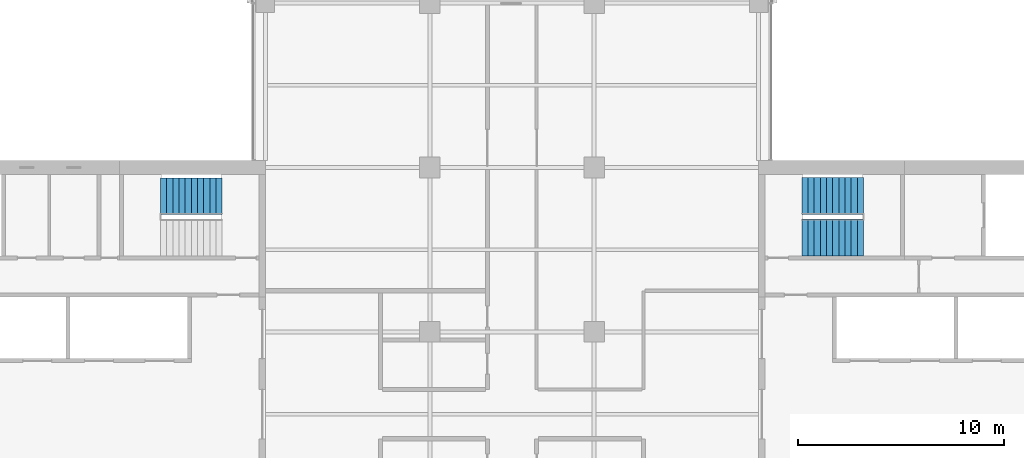
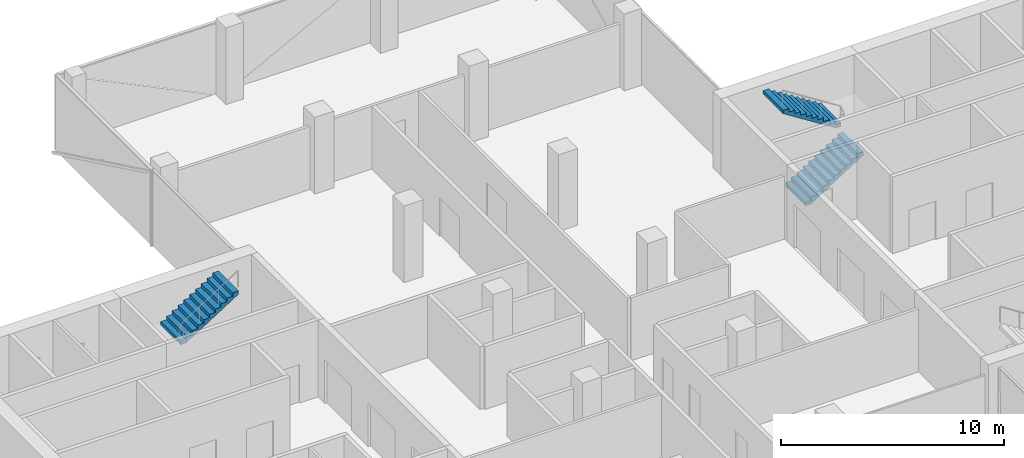
# One storey, part 17 of 22: 3 stair flights, 2 elements without a shape of their own.
"""IFC4 building model written with IfcOpenShell, lengths in metres."""

from ifc_helpers import new_model, si_unit, direction, frame, origin, place, context, subcontext, project, spatial, polyline, outline, extrude, material, type_object, element, aggregate, save


model = new_model("IFC4")

# Units and contexts
model_context = context("Model", 3, precision=1e-05, world=origin(), true_north=direction((0.0, 1.0)))
body_context = subcontext(model_context, "Body", "Model", "MODEL_VIEW")
ifc_project = project(units=[si_unit("LENGTHUNIT", "METRE"), si_unit("AREAUNIT", "SQUARE_METRE"), si_unit("VOLUMEUNIT", "CUBIC_METRE"), si_unit("PLANEANGLEUNIT", "RADIAN"), si_unit("MASSUNIT", "GRAM", prefix="KILO")], contexts=[model_context])

# Site, building, storey
site_placement = place(None, origin())
site = spatial("IfcSite", under=ifc_project, at=site_placement, CompositionType="ELEMENT")
building_placement = place(site_placement, origin())
building = spatial("IfcBuilding", under=site, at=building_placement, Name="Crosswind Convention Tower", CompositionType="ELEMENT")
storey_placement = place(building_placement, frame((0.0, 0.0, 125.300048828125)))
storey = spatial("IfcBuildingStorey", under=building, at=storey_placement, Name="L25", CompositionType="ELEMENT", Elevation=125.300048828125)

# Stair, stair flights
ifc_material = material(Name="Concrete C40/50", Category="concrete")
stair_type = type_object("IfcStairType", Name="Exit stair 1800 wide, 2 flights of 11 risers", PredefinedType="HALF_TURN_STAIR", material=ifc_material)
stair_1_placement = place(storey_placement, origin())
stair_1 = element("IfcStair", 1, at=stair_1_placement, inside=storey, type_object=stair_type, Name="Exit stair ST1 L25", ObjectType="ST5", PredefinedType="HALF_TURN_STAIR")
stair_flight_type = type_object("IfcStairFlightType", Name="Stair flight 1800 wide, 11 risers (SF4)", PredefinedType="STRAIGHT", material=ifc_material)
stair_flight_1_placement = place(storey_placement, frame((139.10009765625, 108.60009765625, 0.0), z_axis=(0.0, 0.0, 1.0), x_axis=(1.0, 0.0, 0.0)))
stair_flight_1 = element("IfcStairFlight", 2, at=stair_flight_1_placement, type_object=stair_flight_type, Name="ST1 flight 1", NumberOfRisers=11, NumberOfTreads=10, PredefinedType="STRAIGHT", RiserHeight=0.190909091, TreadLength=0.3, context=body_context, shape_type="SweptSolid", body=[
    extrude(outline(polyline([(0.0, 0.0), (0.0, 0.19091796875), (0.300048828125, 0.19091796875), (0.300048828125, 0.3818359375), (0.60009765625, 0.3818359375), (0.60009765625, 0.57275390625), (0.89990234375, 0.57275390625), (0.89990234375, 0.763671875), (1.199951171875, 0.763671875), (1.199951171875, 0.95458984375), (1.5, 0.95458984375), (1.5, 1.1455078125), (1.800048828125, 1.1455078125), (1.800048828125, 1.33642578125), (2.10009765625, 1.33642578125), (2.10009765625, 1.52734375), (2.39990234375, 1.52734375), (2.39990234375, 1.71826171875), (2.699951171875, 1.71826171875), (2.699951171875, 1.9091796875), (3.0, 1.9091796875), (3.0, 2.10009765625), (3.0, 1.7314453125), (0.279296875, 0.0), (0.0, 0.0)])), frame((0.0, 0.89990234375, 0.0), z_axis=(0.0, -1.0, 0.0), x_axis=(1.0, 0.0, 0.0)), (0.0, 0.0, 1.0), 1.800048828125),
])
stair_flight_2_placement = place(storey_placement, frame((142.10009765625, 110.60009765625, 2.099853515625), z_axis=(0.0, 0.0, 1.0), x_axis=(-1.0, 0.0, 0.0)))
stair_flight_2 = element("IfcStairFlight", 3, at=stair_flight_2_placement, type_object=stair_flight_type, Name="ST1 flight 2", NumberOfRisers=11, NumberOfTreads=10, PredefinedType="STRAIGHT", RiserHeight=0.190909091, TreadLength=0.3, context=body_context, shape_type="SweptSolid", body=[
    extrude(outline(polyline([(0.0, 0.0), (0.0, 0.19091796875), (0.300048828125, 0.19091796875), (0.300048828125, 0.3818359375), (0.60009765625, 0.3818359375), (0.60009765625, 0.57275390625), (0.89990234375, 0.57275390625), (0.89990234375, 0.763671875), (1.199951171875, 0.763671875), (1.199951171875, 0.95458984375), (1.5, 0.95458984375), (1.5, 1.1455078125), (1.800048828125, 1.1455078125), (1.800048828125, 1.33642578125), (2.10009765625, 1.33642578125), (2.10009765625, 1.52734375), (2.39990234375, 1.52734375), (2.39990234375, 1.71826171875), (2.699951171875, 1.71826171875), (2.699951171875, 1.9091796875), (3.0, 1.9091796875), (3.0, 2.10009765625), (3.0, 1.7314453125), (0.279296875, 0.0), (0.0, 0.0)])), frame((0.0, 0.89990234375, 0.0), z_axis=(0.0, -1.0, 0.0), x_axis=(1.0, 0.0, 0.0)), (0.0, 0.0, 1.0), 1.800048828125),
])
aggregate(stair_1, [stair_flight_1, stair_flight_2])

# Stair, stair flight
stair_2_placement = place(storey_placement, origin())
stair_2 = element("IfcStair", 4, at=stair_2_placement, inside=storey, type_object=stair_type, Name="Exit stair ST4 L25", ObjectType="ST5", PredefinedType="HALF_TURN_STAIR")
stair_flight_3_placement = place(storey_placement, frame((107.89990234375, 110.60009765625, 2.099853515625), z_axis=(0.0, 0.0, 1.0), x_axis=(1.0, 0.0, 0.0)))
stair_flight_3 = element("IfcStairFlight", 5, at=stair_flight_3_placement, type_object=stair_flight_type, Name="ST4 flight 2", NumberOfRisers=11, NumberOfTreads=10, PredefinedType="STRAIGHT", RiserHeight=0.190909091, TreadLength=0.3, context=body_context, shape_type="SweptSolid", body=[
    extrude(outline(polyline([(0.0, 0.0), (0.0, 0.19091796875), (0.300048828125, 0.19091796875), (0.300048828125, 0.3818359375), (0.60009765625, 0.3818359375), (0.60009765625, 0.57275390625), (0.89990234375, 0.57275390625), (0.89990234375, 0.763671875), (1.199951171875, 0.763671875), (1.199951171875, 0.95458984375), (1.5, 0.95458984375), (1.5, 1.1455078125), (1.800048828125, 1.1455078125), (1.800048828125, 1.33642578125), (2.10009765625, 1.33642578125), (2.10009765625, 1.52734375), (2.39990234375, 1.52734375), (2.39990234375, 1.71826171875), (2.699951171875, 1.71826171875), (2.699951171875, 1.9091796875), (3.0, 1.9091796875), (3.0, 2.10009765625), (3.0, 1.7314453125), (0.279296875, 0.0), (0.0, 0.0)])), frame((0.0, 0.89990234375, 0.0), z_axis=(0.0, -1.0, 0.0), x_axis=(1.0, 0.0, 0.0)), (0.0, 0.0, 1.0), 1.800048828125),
])
aggregate(stair_2, [stair_flight_3])

save(model, "model.ifc")
